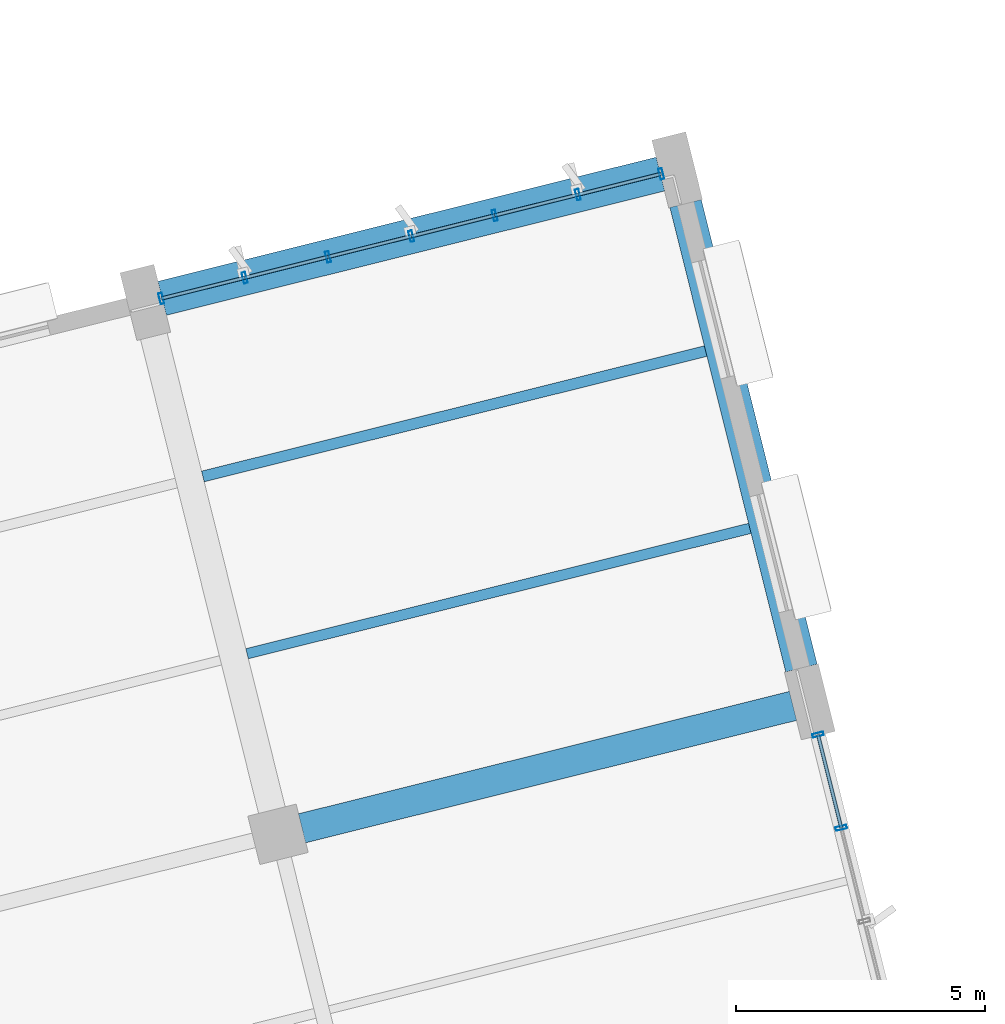
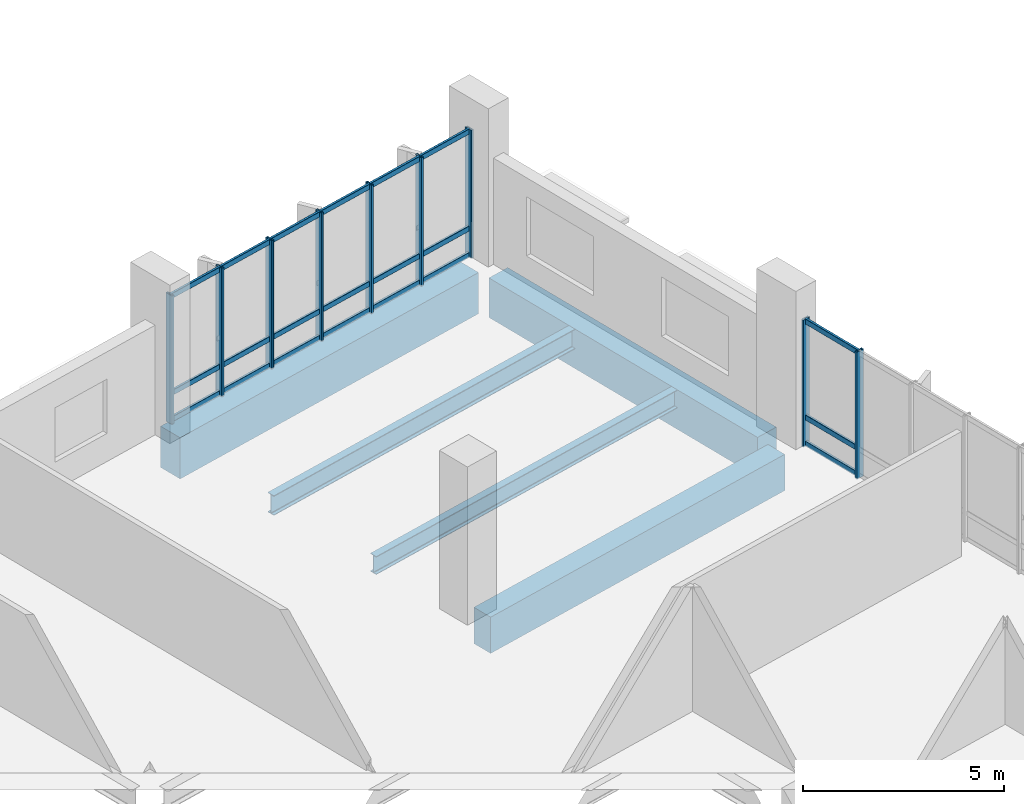
# One storey, part 100 of 137: 30 members, 5 beams, 2 elements without a shape of their own.
"""IFC4 building model written with IfcOpenShell, lengths in metres."""

from ifc_helpers import new_model, si_unit, direction, frame, origin, origin_2d, place, context, subcontext, project, spatial, rectangle, hollow_rectangle, i_section, extrude, material, layer, layer_set, material_profile, profile_set, type_object, element, aggregate, save


model = new_model("IFC4")

# Units and contexts
model_context = context("Model", 3, precision=1e-05, world=origin(), true_north=direction((0.0, 1.0)))
body_context = subcontext(model_context, "Body", "Model", "MODEL_VIEW")
ifc_project = project(units=[si_unit("LENGTHUNIT", "METRE"), si_unit("AREAUNIT", "SQUARE_METRE"), si_unit("VOLUMEUNIT", "CUBIC_METRE"), si_unit("PLANEANGLEUNIT", "RADIAN"), si_unit("MASSUNIT", "GRAM", prefix="KILO")], contexts=[model_context])

# Site, building, storey
site_placement = place(None, origin())
site = spatial("IfcSite", under=ifc_project, at=site_placement, CompositionType="ELEMENT")
building_placement = place(site_placement, origin())
building = spatial("IfcBuilding", under=site, at=building_placement, Name="Khorjan Park Terminus", CompositionType="ELEMENT")
storey_placement = place(building_placement, frame((0.0, 0.0, 11.4)))
storey = spatial("IfcBuildingStorey", under=building, at=storey_placement, Name="L02", CompositionType="ELEMENT", Elevation=11.4)

# Beams
ifc_material_1 = material(Name="Concrete C40/50", Category="concrete")
ifc_material_profile_1 = material_profile(ifc_material_1, rectangle(XDim=0.6, YDim=1.1, at=origin_2d()), Name="RC 600x1100")
ifc_profile_set_1 = profile_set([ifc_material_profile_1], Name="Concrete C40/50")
beam_type_1 = type_object("IfcBeamType", Name="BM-RC600x1100", PredefinedType="BEAM", material=ifc_profile_set_1)
beam_1_placement = place(storey_placement, frame((206.5409, 68.7917, -0.89), z_axis=(0.97029631121, 0.241919549545, 0.0), x_axis=(-0.241919549545, 0.97029631121, 0.0)))
element("IfcBeam", 1, at=beam_1_placement, inside=storey, type_object=beam_type_1, Name="Primary skew-grid floor girder GB-11 (L02)", PredefinedType="BEAM", context=body_context, shape_type="SweptSolid", body=[
    extrude(rectangle(XDim=0.6, YDim=1.1, at=origin_2d()), origin(), (0.0, 0.0, 1.0), 10.16),
])
ifc_material_profile_2 = material_profile(ifc_material_1, rectangle(XDim=0.65, YDim=1.2, at=origin_2d()), Name="RC 650x1200")
ifc_profile_set_2 = profile_set([ifc_material_profile_2], Name="Concrete C40/50")
beam_type_2 = type_object("IfcBeamType", Name="BM-RC650x1200", PredefinedType="BEAM", material=ifc_profile_set_2)
beam_2_placement = place(storey_placement, frame((216.5657, 72.0075, -0.94), z_axis=(-0.241925915978, 0.970294723874, 0.0), x_axis=(-0.970294723874, -0.241925915978, 0.0)))
element("IfcBeam", 2, at=beam_2_placement, inside=storey, type_object=beam_type_2, Name="Primary skew-grid floor girder GB-12 (L02)", PredefinedType="BEAM", context=body_context, shape_type="SweptSolid", body=[
    extrude(rectangle(XDim=0.65, YDim=1.2, at=origin_2d()), origin(), (0.0, 0.0, 1.0), 9.61),
])
ifc_material_profile_3 = material_profile(ifc_material_1, rectangle(XDim=0.7, YDim=1.25, at=origin_2d()), Name="RC 700x1250")
ifc_profile_set_3 = profile_set([ifc_material_profile_3], Name="Concrete C40/50")
beam_type_3 = type_object("IfcBeamType", Name="BM-RC700x1250", PredefinedType="BEAM", material=ifc_profile_set_3)
beam_3_placement = place(storey_placement, frame((203.7342, 79.4287, -0.965), z_axis=(0.970295784153, 0.241921663468, 0.0), x_axis=(-0.241921663468, 0.970295784153, 0.0)))
element("IfcBeam", 3, at=beam_3_placement, inside=storey, type_object=beam_type_3, Name="Primary skew-grid floor girder GB-125 (L02)", PredefinedType="BEAM", context=body_context, shape_type="SweptSolid", body=[
    extrude(rectangle(XDim=0.7, YDim=1.25, at=origin_2d()), origin(), (0.0, 0.0, 1.0), 10.3099),
])
ifc_material_2 = material(Name="Steel S355", Category="steel")
ifc_material_profile_4 = material_profile(ifc_material_2, i_section(OverallWidth=0.21, OverallDepth=0.55, WebThickness=0.0111, FlangeThickness=0.0172, FilletRadius=0.024, at=origin_2d()), Name="IPE 550")
ifc_profile_set_4 = profile_set([ifc_material_profile_4], Name="Steel S355")
beam_type_4 = type_object("IfcBeamType", Name="JS-IPE550", PredefinedType="JOIST", material=ifc_profile_set_4)
beam_4_placement = place(storey_placement, frame((205.4403, 72.2963, -0.615), z_axis=(0.970295586552, 0.241922456002, 0.0), x_axis=(-0.241922456002, 0.970295586552, 0.0)))
element("IfcBeam", 4, at=beam_4_placement, inside=storey, type_object=beam_type_4, Name="Secondary composite floor joist SJ-55 (L02)", PredefinedType="JOIST", context=body_context, shape_type="SweptSolid", body=[
    extrude(i_section(OverallWidth=0.21, OverallDepth=0.55, WebThickness=0.0111, FlangeThickness=0.0172, FilletRadius=0.024, at=origin_2d()), origin(), (0.0, 0.0, 1.0), 10.4),
])
ifc_material_profile_5 = material_profile(ifc_material_2, i_section(OverallWidth=0.22, OverallDepth=0.6, WebThickness=0.012, FlangeThickness=0.019, FilletRadius=0.024, at=origin_2d()), Name="IPE 600")
ifc_profile_set_5 = profile_set([ifc_material_profile_5], Name="Steel S355")
beam_type_5 = type_object("IfcBeamType", Name="JS-IPE600", PredefinedType="JOIST", material=ifc_profile_set_5)
beam_5_placement = place(storey_placement, frame((204.5533, 75.854, -0.64), z_axis=(0.970295586552, 0.241922456002, 0.0), x_axis=(-0.241922456002, 0.970295586552, 0.0)))
element("IfcBeam", 5, at=beam_5_placement, inside=storey, type_object=beam_type_5, Name="Secondary composite floor joist SJ-60 (L02)", PredefinedType="JOIST", context=body_context, shape_type="SweptSolid", body=[
    extrude(i_section(OverallWidth=0.22, OverallDepth=0.6, WebThickness=0.012, FlangeThickness=0.019, FilletRadius=0.024, at=origin_2d()), origin(), (0.0, 0.0, 1.0), 10.4),
])

# Curtain wall, members
ifc_material_3 = material(Name="Anodized Bronze Aluminium", Category="aluminium")
ifc_layer = layer(ifc_material_3, 0.22)
ifc_layer_set = layer_set([ifc_layer], Name="Anodized Bronze Aluminium")
curtain_wall_type = type_object("IfcCurtainWallType", Name="CW-OPS-B", PredefinedType="NOTDEFINED", material=ifc_layer_set)
curtain_wall_1_placement = place(storey_placement, origin())
curtain_wall_1 = element("IfcCurtainWall", 6, at=curtain_wall_1_placement, inside=storey, type_object=curtain_wall_type, Name="Unitized curtain wall CW-B (CW-V5-E-L02-B05)", PredefinedType="NOTDEFINED")
ifc_material_profile_6 = material_profile(ifc_material_3, hollow_rectangle(XDim=0.075, YDim=0.225, WallThickness=0.005, InnerFilletRadius=0.005, OuterFilletRadius=0.01, at=origin_2d()), Name="ALM 75x225x5")
ifc_profile_set_6 = profile_set([ifc_material_profile_6], Name="Anodized Bronze Aluminium")
member_type_1 = type_object("IfcMemberType", Name="ML-ALM-225", PredefinedType="MULLION", material=ifc_profile_set_6)
member_1_placement = place(storey_placement, frame((217.3647, 68.8025, -0.035), z_axis=(0.0, 0.0, 1.0), x_axis=(-0.241935125171, 0.970292427678, 0.0)))
member_1 = element("IfcMember", 7, at=member_1_placement, type_object=member_type_1, Name="Curtain-wall mullion ML-22 (CW-V5-E-L02-B05-4)", PredefinedType="MULLION", context=body_context, shape_type="SweptSolid", body=[
    extrude(hollow_rectangle(XDim=0.075, YDim=0.225, WallThickness=0.005, InnerFilletRadius=0.005, OuterFilletRadius=0.01, at=origin_2d()), origin(), (0.0, 0.0, 1.0), 3.855),
])
member_2_placement = place(storey_placement, frame((216.8983, 70.6732, -0.035), z_axis=(0.0, 0.0, 1.0), x_axis=(-0.241935125171, 0.970292427678, 0.0)))
member_2 = element("IfcMember", 8, at=member_2_placement, type_object=member_type_1, Name="Curtain-wall mullion ML-22 (CW-V5-E-L02-B05-5)", PredefinedType="MULLION", context=body_context, shape_type="SweptSolid", body=[
    extrude(hollow_rectangle(XDim=0.075, YDim=0.225, WallThickness=0.005, InnerFilletRadius=0.005, OuterFilletRadius=0.01, at=origin_2d()), origin(), (0.0, 0.0, 1.0), 3.855),
])

curtain_wall_2_placement = place(storey_placement, origin())
curtain_wall_2 = element("IfcCurtainWall", 9, at=curtain_wall_2_placement, inside=storey, type_object=curtain_wall_type, Name="Unitized curtain wall CW-B (CW-V5-N1-L02-B01)", PredefinedType="NOTDEFINED")
member_3_placement = place(storey_placement, frame((213.7527, 81.9266, -0.035), z_axis=(0.0, 0.0, 1.0), x_axis=(-0.970294194364, -0.241928039679, 0.0)))
member_3 = element("IfcMember", 10, at=member_3_placement, type_object=member_type_1, Name="Curtain-wall mullion ML-22 (CW-V5-N1-L02-B01-0)", PredefinedType="MULLION", context=body_context, shape_type="SweptSolid", body=[
    extrude(hollow_rectangle(XDim=0.075, YDim=0.225, WallThickness=0.005, InnerFilletRadius=0.005, OuterFilletRadius=0.01, at=origin_2d()), origin(), (0.0, 0.0, 1.0), 3.895),
])
member_4_placement = place(storey_placement, frame((212.0805, 81.5096, -0.035), z_axis=(0.0, 0.0, 1.0), x_axis=(-0.970294194364, -0.241928039679, 0.0)))
member_4 = element("IfcMember", 11, at=member_4_placement, type_object=member_type_1, Name="Curtain-wall mullion ML-22 (CW-V5-N1-L02-B01-1)", PredefinedType="MULLION", context=body_context, shape_type="SweptSolid", body=[
    extrude(hollow_rectangle(XDim=0.075, YDim=0.225, WallThickness=0.005, InnerFilletRadius=0.005, OuterFilletRadius=0.01, at=origin_2d()), origin(), (0.0, 0.0, 1.0), 3.895),
])
member_5_placement = place(storey_placement, frame((210.4082, 81.0927, -0.035), z_axis=(0.0, 0.0, 1.0), x_axis=(-0.970294194364, -0.241928039679, 0.0)))
member_5 = element("IfcMember", 12, at=member_5_placement, type_object=member_type_1, Name="Curtain-wall mullion ML-22 (CW-V5-N1-L02-B01-2)", PredefinedType="MULLION", context=body_context, shape_type="SweptSolid", body=[
    extrude(hollow_rectangle(XDim=0.075, YDim=0.225, WallThickness=0.005, InnerFilletRadius=0.005, OuterFilletRadius=0.01, at=origin_2d()), origin(), (0.0, 0.0, 1.0), 3.895),
])
member_6_placement = place(storey_placement, frame((208.736, 80.6757, -0.035), z_axis=(0.0, 0.0, 1.0), x_axis=(-0.970294194364, -0.241928039679, 0.0)))
member_6 = element("IfcMember", 13, at=member_6_placement, type_object=member_type_1, Name="Curtain-wall mullion ML-22 (CW-V5-N1-L02-B01-3)", PredefinedType="MULLION", context=body_context, shape_type="SweptSolid", body=[
    extrude(hollow_rectangle(XDim=0.075, YDim=0.225, WallThickness=0.005, InnerFilletRadius=0.005, OuterFilletRadius=0.01, at=origin_2d()), origin(), (0.0, 0.0, 1.0), 3.895),
])
member_7_placement = place(storey_placement, frame((207.0637, 80.2588, -0.035), z_axis=(0.0, 0.0, 1.0), x_axis=(-0.970294194364, -0.241928039679, 0.0)))
member_7 = element("IfcMember", 14, at=member_7_placement, type_object=member_type_1, Name="Curtain-wall mullion ML-22 (CW-V5-N1-L02-B01-4)", PredefinedType="MULLION", context=body_context, shape_type="SweptSolid", body=[
    extrude(hollow_rectangle(XDim=0.075, YDim=0.225, WallThickness=0.005, InnerFilletRadius=0.005, OuterFilletRadius=0.01, at=origin_2d()), origin(), (0.0, 0.0, 1.0), 3.895),
])
member_8_placement = place(storey_placement, frame((205.3914, 79.8418, -0.035), z_axis=(0.0, 0.0, 1.0), x_axis=(-0.970294194364, -0.241928039679, 0.0)))
member_8 = element("IfcMember", 15, at=member_8_placement, type_object=member_type_1, Name="Curtain-wall mullion ML-22 (CW-V5-N1-L02-B01-5)", PredefinedType="MULLION", context=body_context, shape_type="SweptSolid", body=[
    extrude(hollow_rectangle(XDim=0.075, YDim=0.225, WallThickness=0.005, InnerFilletRadius=0.005, OuterFilletRadius=0.01, at=origin_2d()), origin(), (0.0, 0.0, 1.0), 3.895),
])
member_9_placement = place(storey_placement, frame((203.7192, 79.4249, -0.035), z_axis=(0.0, 0.0, 1.0), x_axis=(-0.970294194364, -0.241928039679, 0.0)))
member_9 = element("IfcMember", 16, at=member_9_placement, type_object=member_type_1, Name="Curtain-wall mullion ML-22 (CW-V5-N1-L02-B01-6)", PredefinedType="MULLION", context=body_context, shape_type="SweptSolid", body=[
    extrude(hollow_rectangle(XDim=0.075, YDim=0.225, WallThickness=0.005, InnerFilletRadius=0.005, OuterFilletRadius=0.01, at=origin_2d()), origin(), (0.0, 0.0, 1.0), 3.895),
])

# Member
ifc_material_profile_7 = material_profile(ifc_material_3, hollow_rectangle(XDim=0.07, YDim=0.16, WallThickness=0.004, InnerFilletRadius=0.004, OuterFilletRadius=0.008, at=origin_2d()), Name="ALT 70x160x4")
ifc_profile_set_7 = profile_set([ifc_material_profile_7], Name="Anodized Bronze Aluminium")
member_type_2 = type_object("IfcMemberType", Name="TR-ALT-160", PredefinedType="USERDEFINED", material=ifc_profile_set_7)
member_10_placement = place(storey_placement, frame((217.3647, 68.8025, 0.04), z_axis=(-0.241913157049, 0.970297905, 0.0), x_axis=(-0.970297905, -0.241913157049, 0.0)))
member_10 = element("IfcMember", 17, at=member_10_placement, type_object=member_type_2, Name="Curtain-wall transom TR-16 (CW-V5-E-L02-B05-4-1)", ObjectType="TRANSOM", PredefinedType="USERDEFINED", context=body_context, shape_type="SweptSolid", body=[
    extrude(hollow_rectangle(XDim=0.07, YDim=0.16, WallThickness=0.004, InnerFilletRadius=0.004, OuterFilletRadius=0.008, at=origin_2d()), origin(), (0.0, 0.0, 1.0), 1.928),
])

member_11_placement = place(storey_placement, frame((217.3647, 68.8025, 0.833), z_axis=(-0.241913157049, 0.970297905, 0.0), x_axis=(-0.970297905, -0.241913157049, 0.0)))
member_11 = element("IfcMember", 18, at=member_11_placement, type_object=member_type_2, Name="Curtain-wall transom TR-16 (CW-V5-E-L02-B05-4-2)", ObjectType="TRANSOM", PredefinedType="USERDEFINED", context=body_context, shape_type="SweptSolid", body=[
    extrude(hollow_rectangle(XDim=0.07, YDim=0.16, WallThickness=0.004, InnerFilletRadius=0.004, OuterFilletRadius=0.008, at=origin_2d()), origin(), (0.0, 0.0, 1.0), 1.928),
])

member_12_placement = place(storey_placement, frame((217.3647, 68.8025, 3.745), z_axis=(-0.241913157049, 0.970297905, 0.0), x_axis=(-0.970297905, -0.241913157049, 0.0)))
member_12 = element("IfcMember", 19, at=member_12_placement, type_object=member_type_2, Name="Curtain-wall transom TR-16 (CW-V5-E-L02-B05-4-3)", ObjectType="TRANSOM", PredefinedType="USERDEFINED", context=body_context, shape_type="SweptSolid", body=[
    extrude(hollow_rectangle(XDim=0.07, YDim=0.16, WallThickness=0.004, InnerFilletRadius=0.004, OuterFilletRadius=0.008, at=origin_2d()), origin(), (0.0, 0.0, 1.0), 1.928),
])

aggregate(curtain_wall_1, [member_1, member_2, member_10, member_11, member_12])

member_13_placement = place(storey_placement, frame((213.7527, 81.9266, 0.04), z_axis=(-0.970285685328, -0.241962164084, 0.0), x_axis=(0.241962164084, -0.970285685328, 0.0)))
member_13 = element("IfcMember", 20, at=member_13_placement, type_object=member_type_2, Name="Curtain-wall transom TR-16 (CW-V5-N1-L02-B01-0-1)", ObjectType="TRANSOM", PredefinedType="USERDEFINED", context=body_context, shape_type="SweptSolid", body=[
    extrude(hollow_rectangle(XDim=0.07, YDim=0.16, WallThickness=0.004, InnerFilletRadius=0.004, OuterFilletRadius=0.008, at=origin_2d()), origin(), (0.0, 0.0, 1.0), 1.7234),
])

member_14_placement = place(storey_placement, frame((213.7527, 81.9266, 0.841), z_axis=(-0.970285685328, -0.241962164084, 0.0), x_axis=(0.241962164084, -0.970285685328, 0.0)))
member_14 = element("IfcMember", 21, at=member_14_placement, type_object=member_type_2, Name="Curtain-wall transom TR-16 (CW-V5-N1-L02-B01-0-2)", ObjectType="TRANSOM", PredefinedType="USERDEFINED", context=body_context, shape_type="SweptSolid", body=[
    extrude(hollow_rectangle(XDim=0.07, YDim=0.16, WallThickness=0.004, InnerFilletRadius=0.004, OuterFilletRadius=0.008, at=origin_2d()), origin(), (0.0, 0.0, 1.0), 1.7234),
])

member_15_placement = place(storey_placement, frame((213.7527, 81.9266, 3.785), z_axis=(-0.970285685328, -0.241962164084, 0.0), x_axis=(0.241962164084, -0.970285685328, 0.0)))
member_15 = element("IfcMember", 22, at=member_15_placement, type_object=member_type_2, Name="Curtain-wall transom TR-16 (CW-V5-N1-L02-B01-0-3)", ObjectType="TRANSOM", PredefinedType="USERDEFINED", context=body_context, shape_type="SweptSolid", body=[
    extrude(hollow_rectangle(XDim=0.07, YDim=0.16, WallThickness=0.004, InnerFilletRadius=0.004, OuterFilletRadius=0.008, at=origin_2d()), origin(), (0.0, 0.0, 1.0), 1.7234),
])

member_16_placement = place(storey_placement, frame((212.0805, 81.5096, 0.04), z_axis=(-0.970302701845, -0.241893916402, 0.0), x_axis=(0.241893916402, -0.970302701845, 0.0)))
member_16 = element("IfcMember", 23, at=member_16_placement, type_object=member_type_2, Name="Curtain-wall transom TR-16 (CW-V5-N1-L02-B01-1-1)", ObjectType="TRANSOM", PredefinedType="USERDEFINED", context=body_context, shape_type="SweptSolid", body=[
    extrude(hollow_rectangle(XDim=0.07, YDim=0.16, WallThickness=0.004, InnerFilletRadius=0.004, OuterFilletRadius=0.008, at=origin_2d()), origin(), (0.0, 0.0, 1.0), 1.7235),
])

member_17_placement = place(storey_placement, frame((212.0805, 81.5096, 0.841), z_axis=(-0.970302701845, -0.241893916402, 0.0), x_axis=(0.241893916402, -0.970302701845, 0.0)))
member_17 = element("IfcMember", 24, at=member_17_placement, type_object=member_type_2, Name="Curtain-wall transom TR-16 (CW-V5-N1-L02-B01-1-2)", ObjectType="TRANSOM", PredefinedType="USERDEFINED", context=body_context, shape_type="SweptSolid", body=[
    extrude(hollow_rectangle(XDim=0.07, YDim=0.16, WallThickness=0.004, InnerFilletRadius=0.004, OuterFilletRadius=0.008, at=origin_2d()), origin(), (0.0, 0.0, 1.0), 1.7235),
])

member_18_placement = place(storey_placement, frame((212.0805, 81.5096, 3.785), z_axis=(-0.970302701845, -0.241893916402, 0.0), x_axis=(0.241893916402, -0.970302701845, 0.0)))
member_18 = element("IfcMember", 25, at=member_18_placement, type_object=member_type_2, Name="Curtain-wall transom TR-16 (CW-V5-N1-L02-B01-1-3)", ObjectType="TRANSOM", PredefinedType="USERDEFINED", context=body_context, shape_type="SweptSolid", body=[
    extrude(hollow_rectangle(XDim=0.07, YDim=0.16, WallThickness=0.004, InnerFilletRadius=0.004, OuterFilletRadius=0.008, at=origin_2d()), origin(), (0.0, 0.0, 1.0), 1.7235),
])

member_19_placement = place(storey_placement, frame((210.4082, 81.0927, 0.04), z_axis=(-0.970285685328, -0.241962164084, 0.0), x_axis=(0.241962164084, -0.970285685328, 0.0)))
member_19 = element("IfcMember", 26, at=member_19_placement, type_object=member_type_2, Name="Curtain-wall transom TR-16 (CW-V5-N1-L02-B01-2-1)", ObjectType="TRANSOM", PredefinedType="USERDEFINED", context=body_context, shape_type="SweptSolid", body=[
    extrude(hollow_rectangle(XDim=0.07, YDim=0.16, WallThickness=0.004, InnerFilletRadius=0.004, OuterFilletRadius=0.008, at=origin_2d()), origin(), (0.0, 0.0, 1.0), 1.7234),
])

member_20_placement = place(storey_placement, frame((210.4082, 81.0927, 0.841), z_axis=(-0.970285685328, -0.241962164084, 0.0), x_axis=(0.241962164084, -0.970285685328, 0.0)))
member_20 = element("IfcMember", 27, at=member_20_placement, type_object=member_type_2, Name="Curtain-wall transom TR-16 (CW-V5-N1-L02-B01-2-2)", ObjectType="TRANSOM", PredefinedType="USERDEFINED", context=body_context, shape_type="SweptSolid", body=[
    extrude(hollow_rectangle(XDim=0.07, YDim=0.16, WallThickness=0.004, InnerFilletRadius=0.004, OuterFilletRadius=0.008, at=origin_2d()), origin(), (0.0, 0.0, 1.0), 1.7234),
])

member_21_placement = place(storey_placement, frame((210.4082, 81.0927, 3.785), z_axis=(-0.970285685328, -0.241962164084, 0.0), x_axis=(0.241962164084, -0.970285685328, 0.0)))
member_21 = element("IfcMember", 28, at=member_21_placement, type_object=member_type_2, Name="Curtain-wall transom TR-16 (CW-V5-N1-L02-B01-2-3)", ObjectType="TRANSOM", PredefinedType="USERDEFINED", context=body_context, shape_type="SweptSolid", body=[
    extrude(hollow_rectangle(XDim=0.07, YDim=0.16, WallThickness=0.004, InnerFilletRadius=0.004, OuterFilletRadius=0.008, at=origin_2d()), origin(), (0.0, 0.0, 1.0), 1.7234),
])

member_22_placement = place(storey_placement, frame((208.736, 80.6757, 0.04), z_axis=(-0.970302701845, -0.241893916402, 0.0), x_axis=(0.241893916402, -0.970302701845, 0.0)))
member_22 = element("IfcMember", 29, at=member_22_placement, type_object=member_type_2, Name="Curtain-wall transom TR-16 (CW-V5-N1-L02-B01-3-1)", ObjectType="TRANSOM", PredefinedType="USERDEFINED", context=body_context, shape_type="SweptSolid", body=[
    extrude(hollow_rectangle(XDim=0.07, YDim=0.16, WallThickness=0.004, InnerFilletRadius=0.004, OuterFilletRadius=0.008, at=origin_2d()), origin(), (0.0, 0.0, 1.0), 1.7235),
])

member_23_placement = place(storey_placement, frame((208.736, 80.6757, 0.841), z_axis=(-0.970302701845, -0.241893916402, 0.0), x_axis=(0.241893916402, -0.970302701845, 0.0)))
member_23 = element("IfcMember", 30, at=member_23_placement, type_object=member_type_2, Name="Curtain-wall transom TR-16 (CW-V5-N1-L02-B01-3-2)", ObjectType="TRANSOM", PredefinedType="USERDEFINED", context=body_context, shape_type="SweptSolid", body=[
    extrude(hollow_rectangle(XDim=0.07, YDim=0.16, WallThickness=0.004, InnerFilletRadius=0.004, OuterFilletRadius=0.008, at=origin_2d()), origin(), (0.0, 0.0, 1.0), 1.7235),
])

member_24_placement = place(storey_placement, frame((208.736, 80.6757, 3.785), z_axis=(-0.970302701845, -0.241893916402, 0.0), x_axis=(0.241893916402, -0.970302701845, 0.0)))
member_24 = element("IfcMember", 31, at=member_24_placement, type_object=member_type_2, Name="Curtain-wall transom TR-16 (CW-V5-N1-L02-B01-3-3)", ObjectType="TRANSOM", PredefinedType="USERDEFINED", context=body_context, shape_type="SweptSolid", body=[
    extrude(hollow_rectangle(XDim=0.07, YDim=0.16, WallThickness=0.004, InnerFilletRadius=0.004, OuterFilletRadius=0.008, at=origin_2d()), origin(), (0.0, 0.0, 1.0), 1.7235),
])

member_25_placement = place(storey_placement, frame((207.0637, 80.2588, 0.04), z_axis=(-0.970289082125, -0.241948542275, 0.0), x_axis=(0.241948542275, -0.970289082125, 0.0)))
member_25 = element("IfcMember", 32, at=member_25_placement, type_object=member_type_2, Name="Curtain-wall transom TR-16 (CW-V5-N1-L02-B01-4-1)", ObjectType="TRANSOM", PredefinedType="USERDEFINED", context=body_context, shape_type="SweptSolid", body=[
    extrude(hollow_rectangle(XDim=0.07, YDim=0.16, WallThickness=0.004, InnerFilletRadius=0.004, OuterFilletRadius=0.008, at=origin_2d()), origin(), (0.0, 0.0, 1.0), 1.7235),
])

member_26_placement = place(storey_placement, frame((207.0637, 80.2588, 0.841), z_axis=(-0.970289082125, -0.241948542275, 0.0), x_axis=(0.241948542275, -0.970289082125, 0.0)))
member_26 = element("IfcMember", 33, at=member_26_placement, type_object=member_type_2, Name="Curtain-wall transom TR-16 (CW-V5-N1-L02-B01-4-2)", ObjectType="TRANSOM", PredefinedType="USERDEFINED", context=body_context, shape_type="SweptSolid", body=[
    extrude(hollow_rectangle(XDim=0.07, YDim=0.16, WallThickness=0.004, InnerFilletRadius=0.004, OuterFilletRadius=0.008, at=origin_2d()), origin(), (0.0, 0.0, 1.0), 1.7235),
])

member_27_placement = place(storey_placement, frame((207.0637, 80.2588, 3.785), z_axis=(-0.970289082125, -0.241948542275, 0.0), x_axis=(0.241948542275, -0.970289082125, 0.0)))
member_27 = element("IfcMember", 34, at=member_27_placement, type_object=member_type_2, Name="Curtain-wall transom TR-16 (CW-V5-N1-L02-B01-4-3)", ObjectType="TRANSOM", PredefinedType="USERDEFINED", context=body_context, shape_type="SweptSolid", body=[
    extrude(hollow_rectangle(XDim=0.07, YDim=0.16, WallThickness=0.004, InnerFilletRadius=0.004, OuterFilletRadius=0.008, at=origin_2d()), origin(), (0.0, 0.0, 1.0), 1.7235),
])

member_28_placement = place(storey_placement, frame((205.3914, 79.8418, 0.04), z_axis=(-0.970299306534, -0.241907535518, 0.0), x_axis=(0.241907535518, -0.970299306534, 0.0)))
member_28 = element("IfcMember", 35, at=member_28_placement, type_object=member_type_2, Name="Curtain-wall transom TR-16 (CW-V5-N1-L02-B01-5-1)", ObjectType="TRANSOM", PredefinedType="USERDEFINED", context=body_context, shape_type="SweptSolid", body=[
    extrude(hollow_rectangle(XDim=0.07, YDim=0.16, WallThickness=0.004, InnerFilletRadius=0.004, OuterFilletRadius=0.008, at=origin_2d()), origin(), (0.0, 0.0, 1.0), 1.7234),
])

member_29_placement = place(storey_placement, frame((205.3914, 79.8418, 0.841), z_axis=(-0.970299306534, -0.241907535518, 0.0), x_axis=(0.241907535518, -0.970299306534, 0.0)))
member_29 = element("IfcMember", 36, at=member_29_placement, type_object=member_type_2, Name="Curtain-wall transom TR-16 (CW-V5-N1-L02-B01-5-2)", ObjectType="TRANSOM", PredefinedType="USERDEFINED", context=body_context, shape_type="SweptSolid", body=[
    extrude(hollow_rectangle(XDim=0.07, YDim=0.16, WallThickness=0.004, InnerFilletRadius=0.004, OuterFilletRadius=0.008, at=origin_2d()), origin(), (0.0, 0.0, 1.0), 1.7234),
])

member_30_placement = place(storey_placement, frame((205.3914, 79.8418, 3.785), z_axis=(-0.970299306534, -0.241907535518, 0.0), x_axis=(0.241907535518, -0.970299306534, 0.0)))
member_30 = element("IfcMember", 37, at=member_30_placement, type_object=member_type_2, Name="Curtain-wall transom TR-16 (CW-V5-N1-L02-B01-5-3)", ObjectType="TRANSOM", PredefinedType="USERDEFINED", context=body_context, shape_type="SweptSolid", body=[
    extrude(hollow_rectangle(XDim=0.07, YDim=0.16, WallThickness=0.004, InnerFilletRadius=0.004, OuterFilletRadius=0.008, at=origin_2d()), origin(), (0.0, 0.0, 1.0), 1.7234),
])

aggregate(curtain_wall_2, [member_3, member_4, member_5, member_6, member_7, member_8, member_9, member_13, member_14, member_15, member_16, member_17, member_18, member_19, member_20, member_21, member_22, member_23, member_24, member_25, member_26, member_27, member_28, member_29, member_30])

save(model, "model.ifc")
